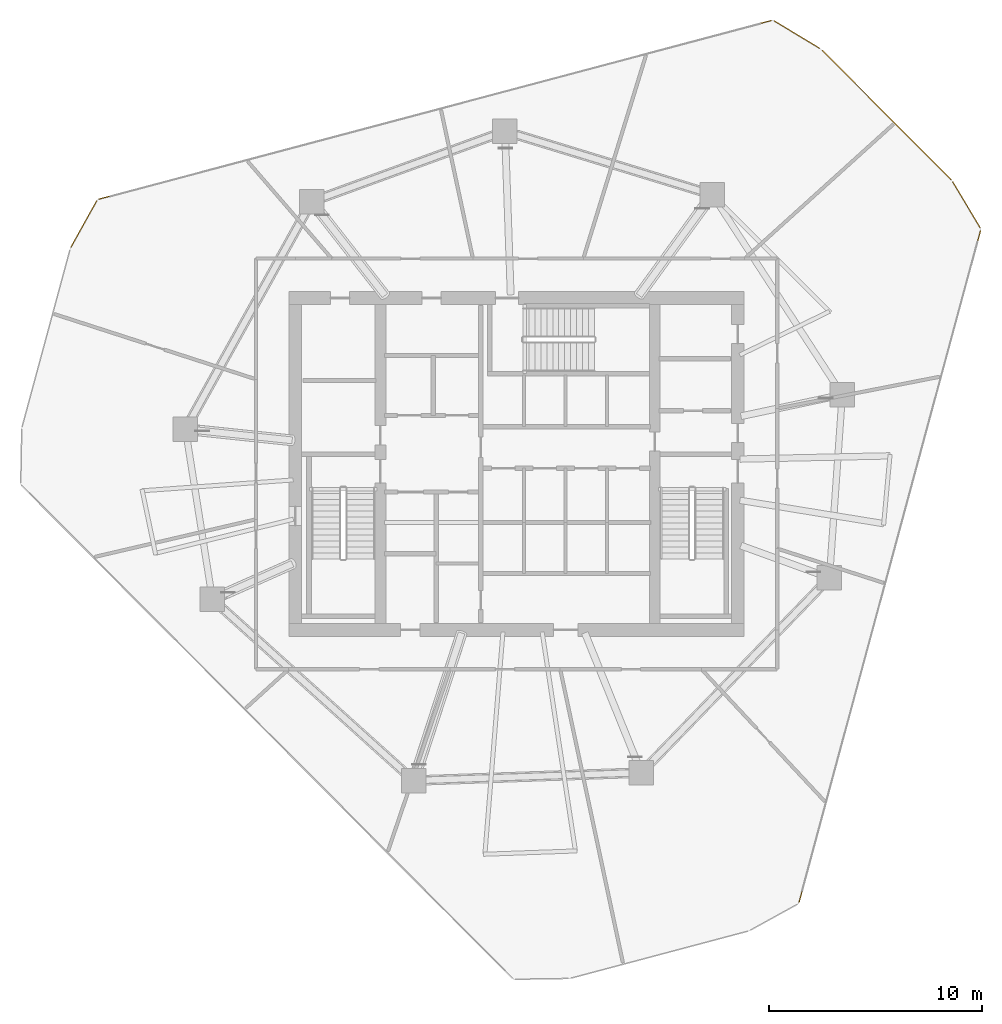
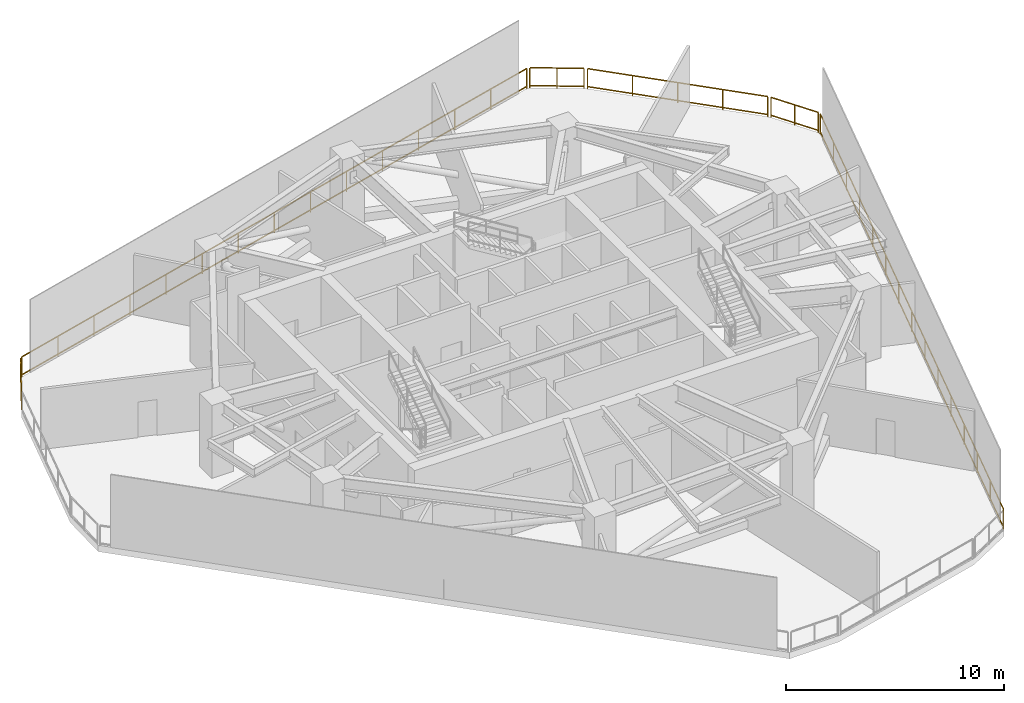
# One storey, part 7 of 7: 6 railings.
"""IFC4 building model written with IfcOpenShell, lengths in metres."""

from ifc_helpers import new_model, si_unit, direction, frame, origin, origin_2d, place, context, subcontext, project, spatial, rectangle, extrude, material, type_object, element, save


model = new_model("IFC4")

# Units and contexts
model_context = context("Model", 3, precision=1e-05, world=origin(), true_north=direction((0.0, 1.0)))
body_context = subcontext(model_context, "Body", "Model", "MODEL_VIEW")
ifc_project = project(units=[si_unit("LENGTHUNIT", "METRE"), si_unit("AREAUNIT", "SQUARE_METRE"), si_unit("VOLUMEUNIT", "CUBIC_METRE"), si_unit("PLANEANGLEUNIT", "RADIAN"), si_unit("MASSUNIT", "GRAM", prefix="KILO")], contexts=[model_context])

# Site, building, storey
site_placement = place(None, origin())
site = spatial("IfcSite", under=ifc_project, at=site_placement, CompositionType="ELEMENT")
building_placement = place(site_placement, origin())
building = spatial("IfcBuilding", under=site, at=building_placement, Name="Qarnah Convention Tower", CompositionType="ELEMENT")
storey_placement = place(building_placement, frame((0.0, 0.0, 121.199951171875)))
storey = spatial("IfcBuildingStorey", under=building, at=storey_placement, Name="L32", CompositionType="ELEMENT", Elevation=121.199951171875)

# Railings
ifc_material = material(Name="Black anodised aluminium", Category="aluminium")
railing_type = type_object("IfcRailingType", Name="RL-EXT-GUARD-1150", PredefinedType="GUARDRAIL", material=ifc_material)
railing_1_placement = place(storey_placement, frame((51.569091796875, 45.839111328125, 0.0)))
element("IfcRailing", 1, at=railing_1_placement, inside=storey, type_object=railing_type, Name="L32 open refuge and plant deck perimeter guard 01", PredefinedType="GUARDRAIL", context=body_context, shape_type="SweptSolid", body=[
    extrude(rectangle(XDim=0.048095703125, YDim=0.048095703125, at=origin_2d()), frame((0.0, 0.0, 1.1259765625), z_axis=(0.705694554671, -0.708516192834, 0.0), x_axis=(0.708516192834, 0.705694554671, 0.0)), (0.0, 0.0, 1.0), 8.56591796875),
    extrude(rectangle(XDim=0.048095703125, YDim=0.048095703125, at=origin_2d()), frame((0.0, 0.0, 0.1201171875), z_axis=(0.705694554671, -0.708516192834, 0.0), x_axis=(0.708516192834, 0.705694554671, 0.0)), (0.0, 0.0, 1.0), 8.56591796875),
    extrude(rectangle(XDim=0.0419921875, YDim=0.0419921875, at=origin_2d()), origin(), (0.0, 0.0, 1.0), 1.101806640625),
    extrude(rectangle(XDim=0.0419921875, YDim=0.0419921875, at=origin_2d()), frame((1.51123046875, -1.517333984375, 0.0)), (0.0, 0.0, 1.0), 1.101806640625),
    extrude(rectangle(XDim=0.0419921875, YDim=0.0419921875, at=origin_2d()), frame((3.0224609375, -3.03466796875, 0.0)), (0.0, 0.0, 1.0), 1.101806640625),
    extrude(rectangle(XDim=0.0419921875, YDim=0.0419921875, at=origin_2d()), frame((4.53369140625, -4.5517578125, 0.0)), (0.0, 0.0, 1.0), 1.101806640625),
    extrude(rectangle(XDim=0.0419921875, YDim=0.0419921875, at=origin_2d()), frame((6.044921875, -6.069091796875, 0.0)), (0.0, 0.0, 1.0), 1.101806640625),
])
railing_2_placement = place(storey_placement, frame((57.7109375, 39.64404296875, 0.0)))
element("IfcRailing", 2, at=railing_2_placement, inside=storey, type_object=railing_type, Name="L32 open refuge and plant deck perimeter guard 02", PredefinedType="GUARDRAIL", context=body_context, shape_type="SweptSolid", body=[
    extrude(rectangle(XDim=0.048095703125, YDim=0.048095703125, at=origin_2d()), frame((0.0, 0.0, 1.1259765625), z_axis=(0.51334076737, -0.858184861528, 0.0), x_axis=(0.858184861528, 0.51334076737, 0.0)), (0.0, 0.0, 1.0), 2.48779296875),
    extrude(rectangle(XDim=0.048095703125, YDim=0.048095703125, at=origin_2d()), frame((0.0, 0.0, 0.1201171875), z_axis=(0.51334076737, -0.858184861528, 0.0), x_axis=(0.858184861528, 0.51334076737, 0.0)), (0.0, 0.0, 1.0), 2.48779296875),
    extrude(rectangle(XDim=0.0419921875, YDim=0.0419921875, at=origin_2d()), origin(), (0.0, 0.0, 1.0), 1.101806640625),
    extrude(rectangle(XDim=0.0419921875, YDim=0.0419921875, at=origin_2d()), frame((0.638671875, -1.0673828125, 0.0)), (0.0, 0.0, 1.0), 1.101806640625),
    extrude(rectangle(XDim=0.0419921875, YDim=0.0419921875, at=origin_2d()), frame((1.277099609375, -2.135009765625, 0.0)), (0.0, 0.0, 1.0), 1.101806640625),
])
railing_3_placement = place(storey_placement, frame((59.008056640625, 37.363037109375, 0.0)))
element("IfcRailing", 3, at=railing_3_placement, inside=storey, type_object=railing_type, Name="L32 open refuge and plant deck perimeter guard 03", PredefinedType="GUARDRAIL", context=body_context, shape_type="SweptSolid", body=[
    extrude(rectangle(XDim=0.048095703125, YDim=0.048095703125, at=origin_2d()), frame((0.0, 0.0, 1.1259765625), z_axis=(-0.260813278912, -0.965389265293, 0.0), x_axis=(0.965389265293, -0.260813278912, 0.0)), (0.0, 0.0, 1.0), 32.6904296875),
    extrude(rectangle(XDim=0.048095703125, YDim=0.048095703125, at=origin_2d()), frame((0.0, 0.0, 0.1201171875), z_axis=(-0.260813278912, -0.965389265293, 0.0), x_axis=(0.965389265293, -0.260813278912, 0.0)), (0.0, 0.0, 1.0), 32.6904296875),
    extrude(rectangle(XDim=0.0419921875, YDim=0.0419921875, at=origin_2d()), origin(), (0.0, 0.0, 1.0), 1.101806640625),
    extrude(rectangle(XDim=0.0419921875, YDim=0.0419921875, at=origin_2d()), frame((-0.60888671875, -2.254150390625, 0.0)), (0.0, 0.0, 1.0), 1.101806640625),
    extrude(rectangle(XDim=0.0419921875, YDim=0.0419921875, at=origin_2d()), frame((-1.218017578125, -4.508544921875, 0.0)), (0.0, 0.0, 1.0), 1.101806640625),
    extrude(rectangle(XDim=0.0419921875, YDim=0.0419921875, at=origin_2d()), frame((-1.8271484375, -6.7626953125, 0.0)), (0.0, 0.0, 1.0), 1.101806640625),
    extrude(rectangle(XDim=0.0419921875, YDim=0.0419921875, at=origin_2d()), frame((-2.43603515625, -9.016845703125, 0.0)), (0.0, 0.0, 1.0), 1.101806640625),
    extrude(rectangle(XDim=0.0419921875, YDim=0.0419921875, at=origin_2d()), frame((-3.044921875, -11.27099609375, 0.0)), (0.0, 0.0, 1.0), 1.101806640625),
    extrude(rectangle(XDim=0.0419921875, YDim=0.0419921875, at=origin_2d()), frame((-3.654052734375, -13.525390625, 0.0)), (0.0, 0.0, 1.0), 1.101806640625),
    extrude(rectangle(XDim=0.0419921875, YDim=0.0419921875, at=origin_2d()), frame((-4.26318359375, -15.779541015625, 0.0)), (0.0, 0.0, 1.0), 1.101806640625),
    extrude(rectangle(XDim=0.0419921875, YDim=0.0419921875, at=origin_2d()), frame((-4.8720703125, -18.03369140625, 0.0)), (0.0, 0.0, 1.0), 1.101806640625),
    extrude(rectangle(XDim=0.0419921875, YDim=0.0419921875, at=origin_2d()), frame((-5.48095703125, -20.2880859375, 0.0)), (0.0, 0.0, 1.0), 1.101806640625),
    extrude(rectangle(XDim=0.0419921875, YDim=0.0419921875, at=origin_2d()), frame((-6.090087890625, -22.542236328125, 0.0)), (0.0, 0.0, 1.0), 1.101806640625),
    extrude(rectangle(XDim=0.0419921875, YDim=0.0419921875, at=origin_2d()), frame((-6.69921875, -24.79638671875, 0.0)), (0.0, 0.0, 1.0), 1.101806640625),
    extrude(rectangle(XDim=0.0419921875, YDim=0.0419921875, at=origin_2d()), frame((-7.30810546875, -27.050537109375, 0.0)), (0.0, 0.0, 1.0), 1.101806640625),
    extrude(rectangle(XDim=0.0419921875, YDim=0.0419921875, at=origin_2d()), frame((-7.9169921875, -29.304931640625, 0.0)), (0.0, 0.0, 1.0), 1.101806640625),
    extrude(rectangle(XDim=0.0419921875, YDim=0.0419921875, at=origin_2d()), frame((-8.526123046875, -31.55908203125, 0.0)), (0.0, 0.0, 1.0), 1.101806640625),
])
railing_4_placement = place(storey_placement, frame((16.2470703125, 36.5849609375, 0.0)))
element("IfcRailing", 4, at=railing_4_placement, inside=storey, type_object=railing_type, Name="L32 open refuge and plant deck perimeter guard 10", PredefinedType="GUARDRAIL", context=body_context, shape_type="SweptSolid", body=[
    extrude(rectangle(XDim=0.048095703125, YDim=0.048095703125, at=origin_2d()), frame((0.0, 0.0, 1.1259765625), z_axis=(0.486600551136, 0.873624578199, 0.0), x_axis=(-0.873624578199, 0.486600551136, 0.0)), (0.0, 0.0, 1.0), 2.488525390625),
    extrude(rectangle(XDim=0.048095703125, YDim=0.048095703125, at=origin_2d()), frame((0.0, 0.0, 0.1201171875), z_axis=(0.486600551136, 0.873624578199, 0.0), x_axis=(-0.873624578199, 0.486600551136, 0.0)), (0.0, 0.0, 1.0), 2.488525390625),
    extrude(rectangle(XDim=0.0419921875, YDim=0.0419921875, at=origin_2d()), origin(), (0.0, 0.0, 1.0), 1.101806640625),
    extrude(rectangle(XDim=0.0419921875, YDim=0.0419921875, at=origin_2d()), frame((0.60546875, 1.0869140625, 0.0)), (0.0, 0.0, 1.0), 1.101806640625),
    extrude(rectangle(XDim=0.0419921875, YDim=0.0419921875, at=origin_2d()), frame((1.2109375, 2.174072265625, 0.0)), (0.0, 0.0, 1.0), 1.101806640625),
])
railing_5_placement = place(storey_placement, frame((17.573974609375, 38.85009765625, 0.0)))
element("IfcRailing", 5, at=railing_5_placement, inside=storey, type_object=railing_type, Name="L32 open refuge and plant deck perimeter guard 11", PredefinedType="GUARDRAIL", context=body_context, shape_type="SweptSolid", body=[
    extrude(rectangle(XDim=0.048095703125, YDim=0.048095703125, at=origin_2d()), frame((0.0, 0.0, 1.1259765625), z_axis=(0.96647264673, 0.256769591506, 0.0), x_axis=(-0.256769591506, 0.96647264673, 0.0)), (0.0, 0.0, 1.0), 32.68994140625),
    extrude(rectangle(XDim=0.048095703125, YDim=0.048095703125, at=origin_2d()), frame((0.0, 0.0, 0.1201171875), z_axis=(0.96647264673, 0.256769591506, 0.0), x_axis=(-0.256769591506, 0.96647264673, 0.0)), (0.0, 0.0, 1.0), 32.68994140625),
    extrude(rectangle(XDim=0.0419921875, YDim=0.0419921875, at=origin_2d()), origin(), (0.0, 0.0, 1.0), 1.101806640625),
    extrude(rectangle(XDim=0.0419921875, YDim=0.0419921875, at=origin_2d()), frame((2.2568359375, 0.599609375, 0.0)), (0.0, 0.0, 1.0), 1.101806640625),
    extrude(rectangle(XDim=0.0419921875, YDim=0.0419921875, at=origin_2d()), frame((4.513427734375, 1.19921875, 0.0)), (0.0, 0.0, 1.0), 1.101806640625),
    extrude(rectangle(XDim=0.0419921875, YDim=0.0419921875, at=origin_2d()), frame((6.77001953125, 1.798583984375, 0.0)), (0.0, 0.0, 1.0), 1.101806640625),
    extrude(rectangle(XDim=0.0419921875, YDim=0.0419921875, at=origin_2d()), frame((9.02685546875, 2.398193359375, 0.0)), (0.0, 0.0, 1.0), 1.101806640625),
    extrude(rectangle(XDim=0.0419921875, YDim=0.0419921875, at=origin_2d()), frame((11.28369140625, 2.997802734375, 0.0)), (0.0, 0.0, 1.0), 1.101806640625),
    extrude(rectangle(XDim=0.0419921875, YDim=0.0419921875, at=origin_2d()), frame((13.540283203125, 3.597412109375, 0.0)), (0.0, 0.0, 1.0), 1.101806640625),
    extrude(rectangle(XDim=0.0419921875, YDim=0.0419921875, at=origin_2d()), frame((15.796875, 4.19677734375, 0.0)), (0.0, 0.0, 1.0), 1.101806640625),
    extrude(rectangle(XDim=0.0419921875, YDim=0.0419921875, at=origin_2d()), frame((18.0537109375, 4.79638671875, 0.0)), (0.0, 0.0, 1.0), 1.101806640625),
    extrude(rectangle(XDim=0.0419921875, YDim=0.0419921875, at=origin_2d()), frame((20.310546875, 5.39599609375, 0.0)), (0.0, 0.0, 1.0), 1.101806640625),
    extrude(rectangle(XDim=0.0419921875, YDim=0.0419921875, at=origin_2d()), frame((22.567138671875, 5.99560546875, 0.0)), (0.0, 0.0, 1.0), 1.101806640625),
    extrude(rectangle(XDim=0.0419921875, YDim=0.0419921875, at=origin_2d()), frame((24.82373046875, 6.59521484375, 0.0)), (0.0, 0.0, 1.0), 1.101806640625),
    extrude(rectangle(XDim=0.0419921875, YDim=0.0419921875, at=origin_2d()), frame((27.08056640625, 7.194580078125, 0.0)), (0.0, 0.0, 1.0), 1.101806640625),
    extrude(rectangle(XDim=0.0419921875, YDim=0.0419921875, at=origin_2d()), frame((29.33740234375, 7.794189453125, 0.0)), (0.0, 0.0, 1.0), 1.101806640625),
    extrude(rectangle(XDim=0.0419921875, YDim=0.0419921875, at=origin_2d()), frame((31.593994140625, 8.393798828125, 0.0)), (0.0, 0.0, 1.0), 1.101806640625),
])
railing_6_placement = place(storey_placement, frame((49.31298828125, 47.22412109375, 0.0)))
element("IfcRailing", 6, at=railing_6_placement, inside=storey, type_object=railing_type, Name="L32 open refuge and plant deck perimeter guard 12", PredefinedType="GUARDRAIL", context=body_context, shape_type="SweptSolid", body=[
    extrude(rectangle(XDim=0.048095703125, YDim=0.048095703125, at=origin_2d()), frame((0.0, 0.0, 1.1259765625), z_axis=(0.856097179946, -0.516814878355, 0.0), x_axis=(0.516814878355, 0.856097179946, 0.0)), (0.0, 0.0, 1.0), 2.490478515625),
    extrude(rectangle(XDim=0.048095703125, YDim=0.048095703125, at=origin_2d()), frame((0.0, 0.0, 0.1201171875), z_axis=(0.856097179946, -0.516814878355, 0.0), x_axis=(0.516814878355, 0.856097179946, 0.0)), (0.0, 0.0, 1.0), 2.490478515625),
    extrude(rectangle(XDim=0.0419921875, YDim=0.0419921875, at=origin_2d()), origin(), (0.0, 0.0, 1.0), 1.101806640625),
    extrude(rectangle(XDim=0.0419921875, YDim=0.0419921875, at=origin_2d()), frame((1.06591796875, -0.6435546875, 0.0)), (0.0, 0.0, 1.0), 1.101806640625),
    extrude(rectangle(XDim=0.0419921875, YDim=0.0419921875, at=origin_2d()), frame((2.132080078125, -1.287109375, 0.0)), (0.0, 0.0, 1.0), 1.101806640625),
])

save(model, "model.ifc")
